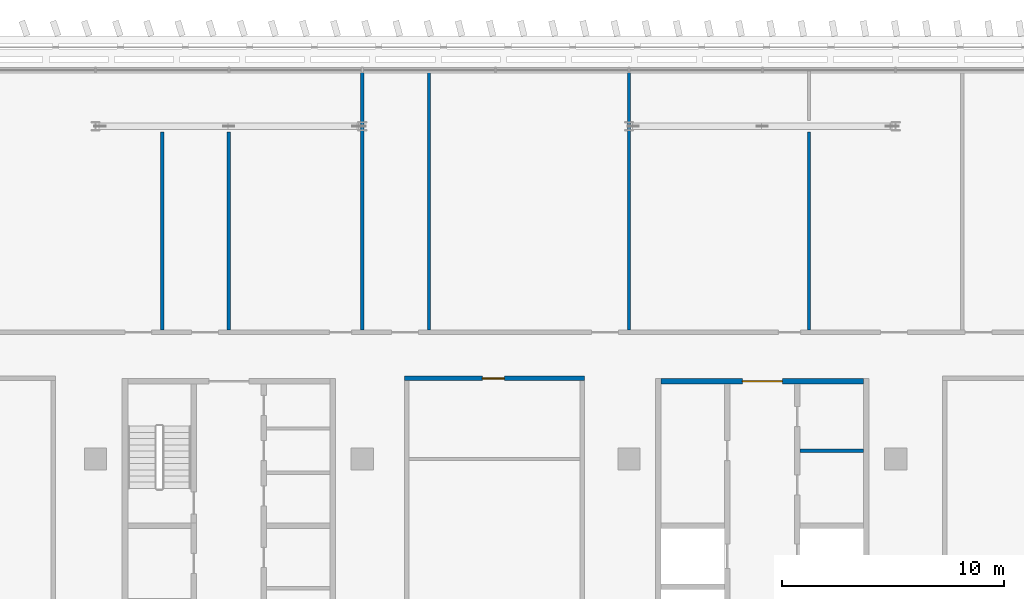
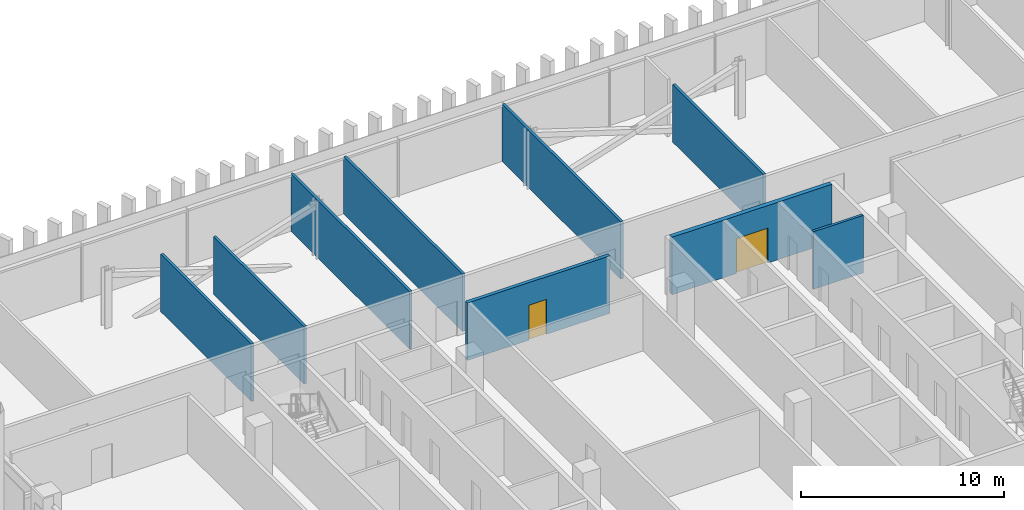
# One storey, part 13 of 30: 9 walls, 2 doors, 2 openings.
"""IFC4 building model written with IfcOpenShell, lengths in metres."""

from ifc_helpers import new_model, si_unit, direction, frame, frame_2d, origin, place, context, subcontext, project, spatial, rectangle, extrude, material, layer, layer_set, type_object, element, fill, save


model = new_model("IFC4")

# Units and contexts
model_context = context("Model", 3, precision=1e-05, world=origin(), true_north=direction((0.0, 1.0)))
body_context = subcontext(model_context, "Body", "Model", "MODEL_VIEW")
ifc_project = project(units=[si_unit("LENGTHUNIT", "METRE"), si_unit("AREAUNIT", "SQUARE_METRE"), si_unit("VOLUMEUNIT", "CUBIC_METRE"), si_unit("PLANEANGLEUNIT", "RADIAN"), si_unit("MASSUNIT", "GRAM", prefix="KILO")], contexts=[model_context])

# Site, building, storey
site_placement = place(None, origin())
site = spatial("IfcSite", under=ifc_project, at=site_placement, CompositionType="ELEMENT")
building_placement = place(site_placement, origin())
building = spatial("IfcBuilding", under=site, at=building_placement, Name="Mahtab Terrace Research Tower", CompositionType="ELEMENT")
storey_placement = place(building_placement, frame((0.0, 0.0, 228.60009765625)))
storey = spatial("IfcBuildingStorey", under=building, at=storey_placement, Name="L55", CompositionType="ELEMENT", Elevation=228.60009765625)

# Wall
ifc_material_1 = material(Name="Gypsum board partition")
ifc_layer_1 = layer(ifc_material_1, 0.14990234375)
ifc_layer_set_1 = layer_set([ifc_layer_1], Name="Core partition 150")
wall_type_1 = type_object("IfcWallType", Name="Core partition 150", PredefinedType="PARTITIONING", material=ifc_layer_set_1)
wall_1_placement = place(storey_placement, frame((1.699951171875, 11.875, 0.0), z_axis=(0.0, 0.0, 1.0), x_axis=(1.0, 0.0, 0.0)))
element("IfcWall", 1, at=wall_1_placement, inside=storey, type_object=wall_type_1, Name="Core wall B pEN888", PredefinedType="PARTITIONING", context=body_context, shape_type="SweptSolid", body=[
    extrude(rectangle(XDim=2.85009765625, YDim=0.14990234375, at=frame_2d((1.425048828125, 0.0))), origin(), (0.0, 0.0, 1.0), 3.4599609375),
])

# Wall, opening, door
ifc_material_2 = material(Name="Concrete C70/85", Category="concrete")
ifc_layer_2 = layer(ifc_material_2, 0.25)
ifc_layer_set_2 = layer_set([ifc_layer_2], Name="Core wall 250")
wall_type_2 = type_object("IfcWallType", Name="Core wall 250", PredefinedType="SOLIDWALL", material=ifc_layer_set_2)
wall_2_placement = place(storey_placement, frame((-4.550048828125, 15.0, 0.0), z_axis=(0.0, 0.0, 1.0), x_axis=(1.0, 0.0, 0.0)))
wall_2 = element("IfcWall", 2, at=wall_2_placement, inside=storey, type_object=wall_type_2, Name="Core wall B endN", PredefinedType="SOLIDWALL", context=body_context, shape_type="SweptSolid", body=[
    extrude(rectangle(XDim=9.10009765625, YDim=0.25, at=frame_2d((4.550048828125, 0.0))), origin(), (0.0, 0.0, 1.0), 3.4599609375),
])
opening_1_placement = place(wall_2_placement, frame((3.64990234375, 0.0, 0.0)))
opening_1 = element("IfcOpeningElement", 3, at=opening_1_placement, cuts=wall_2, Name="Opening B-N1", PredefinedType="OPENING", context=body_context, shape_type="SweptSolid", body=[
    extrude(rectangle(XDim=1.800048828125, YDim=2.10009765625, at=frame_2d((0.89990234375, 1.050048828125))), frame((0.0, 0.135009765625, 0.0), z_axis=(0.0, -1.0, 0.0), x_axis=(1.0, 0.0, 0.0)), (0.0, 0.0, 1.0), 0.27001953125),
])
ifc_material_3 = material(Name="Steel fire door", Category="steel")
door_type_1 = type_object("IfcDoorType", Name="Lobby double door 1800x2100 1 HR", OperationType="DOUBLE_DOOR_SINGLE_SWING", PredefinedType="DOOR", material=ifc_material_3)
door_1_placement = place(opening_1_placement, origin())
door_1 = element("IfcDoor", 4, at=door_1_placement, inside=storey, type_object=door_type_1, Name="Core entrance door B N", OperationType="DOUBLE_DOOR_SINGLE_SWING", OverallHeight=2.10009765625, OverallWidth=1.800048828125, PredefinedType="DOOR", context=body_context, shape_type="SweptSolid", body=[
    extrude(rectangle(XDim=1.800048828125, YDim=2.10009765625, at=frame_2d((0.89990234375, 1.050048828125))), frame((0.0, 0.02490234375, 0.0), z_axis=(0.0, -1.0, 0.0), x_axis=(1.0, 0.0, 0.0)), (0.0, 0.0, 1.0), 0.050048828125),
])
fill(opening_1, door_1)

ifc_material_4 = material(Name="Gypsum board corridor wall on steel studs", Category="steel")
ifc_layer_3 = layer(ifc_material_4, 0.199951171875)
ifc_layer_set_3 = layer_set([ifc_layer_3], Name="WALL CORRIDOR 200")
wall_type_3 = type_object("IfcWallType", Name="WALL CORRIDOR 200", PredefinedType="PARTITIONING", material=ifc_layer_set_3)
wall_3_placement = place(storey_placement, frame((-16.10009765625, 15.125, 0.0), z_axis=(0.0, 0.0, 1.0), x_axis=(1.0, 0.0, 0.0)))
wall_3 = element("IfcWall", 5, at=wall_3_placement, inside=storey, type_object=wall_type_3, Name="L55-W023", PredefinedType="PARTITIONING", context=body_context, shape_type="SweptSolid", body=[
    extrude(rectangle(XDim=8.10009765625, YDim=0.199951171875, at=frame_2d((4.050048828125, 0.0))), origin(), (0.0, 0.0, 1.0), 3.4599609375),
])
opening_2_placement = place(wall_3_placement, frame((3.5, 0.0, 0.0)))
opening_2 = element("IfcOpeningElement", 6, at=opening_2_placement, cuts=wall_3, Name="Opening L55-126", PredefinedType="OPENING", context=body_context, shape_type="SweptSolid", body=[
    extrude(rectangle(XDim=1.0, YDim=2.10009765625, at=frame_2d((0.5, 1.050048828125))), frame((0.0, 0.10986328125, 0.0), z_axis=(0.0, -1.0, 0.0), x_axis=(1.0, 0.0, 0.0)), (0.0, 0.0, 1.0), 0.219970703125),
])
ifc_material_5 = material(Name="Timber door leaf in steel frame", Category="steel")
door_type_2 = type_object("IfcDoorType", Name="DOOR 1000X2100 FD30S", OperationType="SINGLE_SWING_LEFT", PredefinedType="DOOR", material=ifc_material_5)
door_2_placement = place(opening_2_placement, origin())
door_2 = element("IfcDoor", 7, at=door_2_placement, inside=storey, type_object=door_type_2, Name="Door L55-126", OperationType="SINGLE_SWING_RIGHT", OverallHeight=2.10009765625, OverallWidth=1.0, PredefinedType="DOOR", context=body_context, shape_type="SweptSolid", body=[
    extrude(rectangle(XDim=1.0, YDim=2.10009765625, at=frame_2d((0.5, 1.050048828125))), frame((0.0, 0.02490234375, 0.0), z_axis=(0.0, -1.0, 0.0), x_axis=(1.0, 0.0, 0.0)), (0.0, 0.0, 1.0), 0.050048828125),
])
fill(opening_2, door_2)

# Walls
ifc_material_6 = material(Name="Gypsum board partition on steel studs", Category="steel")
ifc_layer_4 = layer(ifc_material_6, 0.14990234375)
ifc_layer_set_4 = layer_set([ifc_layer_4], Name="WALL PARTITION 150")
wall_type_4 = type_object("IfcWallType", Name="WALL PARTITION 150", PredefinedType="PARTITIONING", material=ifc_layer_set_4)
for number, where, z_axis, x_axis, name in (
    (8, (-27.0, 17.300048828125, 0.0), (0.0, 0.0, 1.0), (0.0, 1.0, 0.0), "L55-W031"),
    (9, (-24.0, 17.300048828125, 0.0), (0.0, 0.0, 1.0), (0.0, 1.0, 0.0), "L55-W032"),
):
    element("IfcWall", number, at=place(storey_placement, frame(where, z_axis=z_axis, x_axis=x_axis)), inside=storey, type_object=wall_type_4, Name=name, PredefinedType="PARTITIONING", context=body_context, shape_type="SweptSolid", body=[
        extrude(rectangle(XDim=8.920654296875, YDim=0.14990234375, at=frame_2d((4.46044921875, 0.0))), origin(), (0.0, 0.0, 1.0), 3.4599609375),
    ])
for number, where, z_axis, x_axis, name in (
    (10, (-18.0, 17.300048828125, 0.0), (0.0, 0.0, 1.0), (0.0, 1.0, 0.0), "L55-W033"),
    (11, (-15.0, 17.300048828125, 0.0), (0.0, 0.0, 1.0), (0.0, 1.0, 0.0), "L55-W036"),
    (12, (-6.0, 17.300048828125, 0.0), (0.0, 0.0, 1.0), (0.0, 1.0, 0.0), "L55-W039"),
):
    element("IfcWall", number, at=place(storey_placement, frame(where, z_axis=z_axis, x_axis=x_axis)), inside=storey, type_object=wall_type_4, Name=name, PredefinedType="PARTITIONING", context=body_context, shape_type="SweptSolid", body=[
        extrude(rectangle(XDim=11.675048828125, YDim=0.14990234375, at=frame_2d((5.83740234375, 0.0))), origin(), (0.0, 0.0, 1.0), 3.4599609375),
    ])
wall_4_placement = place(storey_placement, frame((2.10009765625, 17.300048828125, 0.0), z_axis=(0.0, 0.0, 1.0), x_axis=(0.0, 1.0, 0.0)))
element("IfcWall", 13, at=wall_4_placement, inside=storey, type_object=wall_type_4, Name="L55-W042", PredefinedType="PARTITIONING", context=body_context, shape_type="SweptSolid", body=[
    extrude(rectangle(XDim=8.920654296875, YDim=0.14990234375, at=frame_2d((4.46044921875, 0.0))), origin(), (0.0, 0.0, 1.0), 3.4599609375),
])

save(model, "model.ifc")
